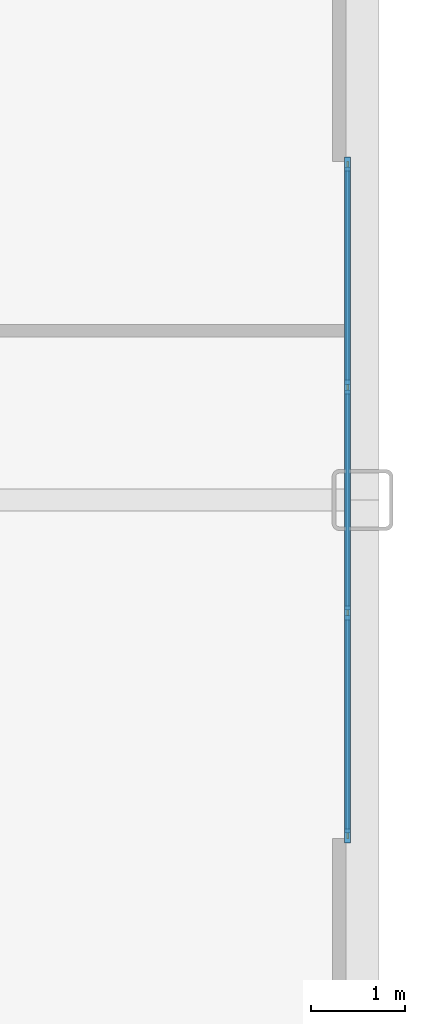
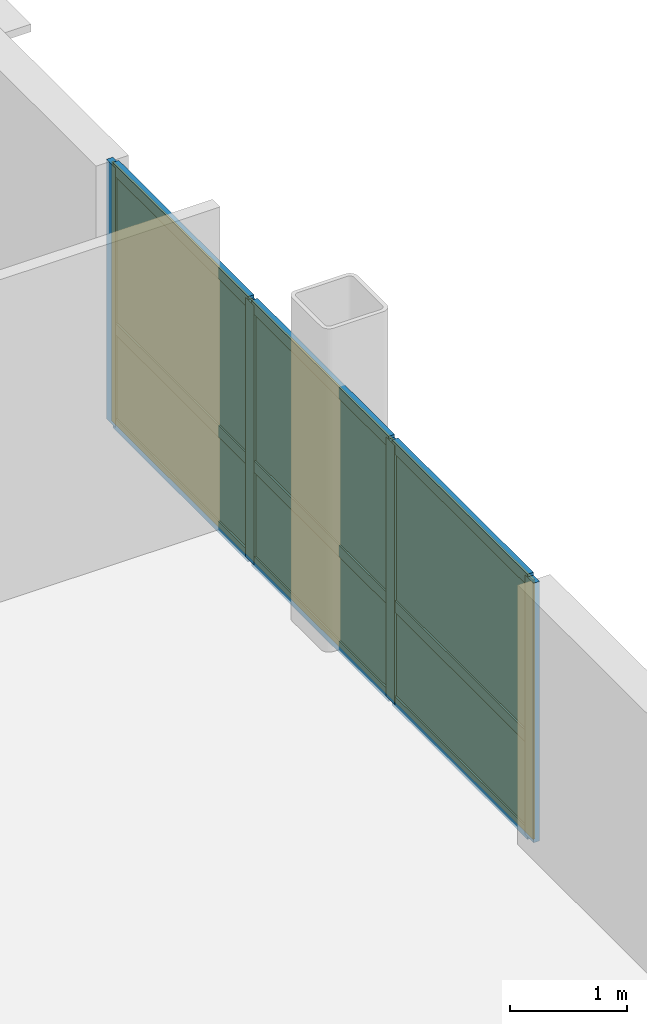
# One storey, part 11 of 17: 13 members, 6 plates, 1 curtain wall.
"""IFC4 building model written with IfcOpenShell, lengths in metres."""

from ifc_helpers import new_model, si_unit, direction, frame, frame_2d, origin, origin_2d, place, context, subcontext, project, spatial, rectangle, extrude, source, transform, mapped, material, layer, layer_set, material_profile, profile_set, type_object, type_shapes, element, aggregate, save


model = new_model("IFC4")

# Units and contexts
model_context = context("Model", 3, precision=1e-05, world=origin(), true_north=direction((0.0, 1.0)))
body_context = subcontext(model_context, "Body", "Model", "MODEL_VIEW")
ifc_project = project(units=[si_unit("LENGTHUNIT", "METRE"), si_unit("AREAUNIT", "SQUARE_METRE"), si_unit("VOLUMEUNIT", "CUBIC_METRE"), si_unit("PLANEANGLEUNIT", "RADIAN"), si_unit("MASSUNIT", "GRAM", prefix="KILO")], contexts=[model_context])

# Member
ifc_material_1 = material(Name="Anodised aluminium 6063-T6", Category="aluminium")
ifc_material_profile_1 = material_profile(ifc_material_1, rectangle(XDim=0.06005859375, YDim=0.14990234375, at=origin_2d()), Name="ALU-MULL-60x150")
ifc_profile_set_1 = profile_set([ifc_material_profile_1], Name="Anodised aluminium 6063-T6")
member_type_1 = type_object("IfcMemberType", Name="CWM-3", PredefinedType="MULLION", material=ifc_profile_set_1)
site_placement = place(None, origin())
building_placement = place(site_placement, origin())
storey_placement = place(building_placement, frame((0.0, 0.0, 120.199951171875)))
member_1_placement = place(storey_placement, frame((26.239990234375, -3.570068359375, 0.0), z_axis=(0.0, 0.0, 1.0), x_axis=(-1.0, 0.0, 0.0)))
member_1 = element("IfcMember", 1, at=member_1_placement, type_object=member_type_1, Name="CWS-3 mullion 1", PredefinedType="MULLION", context=body_context, shape_type="SweptSolid", body=[
    extrude(rectangle(XDim=0.06005859375, YDim=0.14990234375, at=origin_2d()), origin(), (0.0, 0.0, 1.0), 2.705078125),
])

member_2_placement = place(storey_placement, frame((26.239990234375, -1.199951171875, 0.0), z_axis=(0.0, 0.0, 1.0), x_axis=(-1.0, 0.0, 0.0)))
member_2 = element("IfcMember", 2, at=member_2_placement, type_object=member_type_1, Name="CWS-3 mullion 2", PredefinedType="MULLION", context=body_context, shape_type="SweptSolid", body=[
    extrude(rectangle(XDim=0.06005859375, YDim=0.14990234375, at=origin_2d()), origin(), (0.0, 0.0, 1.0), 2.705078125),
])

member_3_placement = place(storey_placement, frame((26.239990234375, 1.199951171875, 0.0), z_axis=(0.0, 0.0, 1.0), x_axis=(-1.0, 0.0, 0.0)))
member_3 = element("IfcMember", 3, at=member_3_placement, type_object=member_type_1, Name="CWS-3 mullion 3", PredefinedType="MULLION", context=body_context, shape_type="SweptSolid", body=[
    extrude(rectangle(XDim=0.06005859375, YDim=0.14990234375, at=origin_2d()), origin(), (0.0, 0.0, 1.0), 2.705078125),
])

member_4_placement = place(storey_placement, frame((26.239990234375, 3.570068359375, 0.0), z_axis=(0.0, 0.0, 1.0), x_axis=(-1.0, 0.0, 0.0)))
member_4 = element("IfcMember", 4, at=member_4_placement, type_object=member_type_1, Name="CWS-3 mullion 4", PredefinedType="MULLION", context=body_context, shape_type="SweptSolid", body=[
    extrude(rectangle(XDim=0.06005859375, YDim=0.14990234375, at=origin_2d()), origin(), (0.0, 0.0, 1.0), 2.705078125),
])

ifc_material_profile_2 = material_profile(ifc_material_1, rectangle(XDim=0.06005859375, YDim=0.1201171875, at=origin_2d()), Name="ALU-TRAN-60x120")
ifc_profile_set_2 = profile_set([ifc_material_profile_2], Name="Anodised aluminium 6063-T6")
member_type_2 = type_object("IfcMemberType", Name="CWT-3", PredefinedType="USERDEFINED", material=ifc_profile_set_2)
member_5_placement = place(storey_placement, frame((26.239990234375, -3.5400390625, 0.030029296875), z_axis=(0.0, 1.0, 0.0), x_axis=(-1.0, 0.0, 0.0)))
member_5 = element("IfcMember", 5, at=member_5_placement, type_object=member_type_2, Name="CWS-3 transom 1.1", ObjectType="TRANSOM", PredefinedType="USERDEFINED", context=body_context, shape_type="SweptSolid", body=[
    extrude(rectangle(XDim=0.06005859375, YDim=0.1201171875, at=origin_2d()), origin(), (0.0, 0.0, 1.0), 2.31005859375),
])

member_6_placement = place(storey_placement, frame((26.239990234375, -3.5400390625, 1.02783203125), z_axis=(0.0, 1.0, 0.0), x_axis=(-1.0, 0.0, 0.0)))
member_6 = element("IfcMember", 6, at=member_6_placement, type_object=member_type_2, Name="CWS-3 transom 1.2", ObjectType="TRANSOM", PredefinedType="USERDEFINED", context=body_context, shape_type="SweptSolid", body=[
    extrude(rectangle(XDim=0.06005859375, YDim=0.1201171875, at=origin_2d()), origin(), (0.0, 0.0, 1.0), 2.31005859375),
])

member_7_placement = place(storey_placement, frame((26.239990234375, -3.5400390625, 2.675048828125), z_axis=(0.0, 1.0, 0.0), x_axis=(-1.0, 0.0, 0.0)))
member_7 = element("IfcMember", 7, at=member_7_placement, type_object=member_type_2, Name="CWS-3 transom 1.3", ObjectType="TRANSOM", PredefinedType="USERDEFINED", context=body_context, shape_type="SweptSolid", body=[
    extrude(rectangle(XDim=0.06005859375, YDim=0.1201171875, at=origin_2d()), origin(), (0.0, 0.0, 1.0), 2.31005859375),
])

member_8_placement = place(storey_placement, frame((26.239990234375, -1.169921875, 0.030029296875), z_axis=(0.0, 1.0, 0.0), x_axis=(-1.0, 0.0, 0.0)))
member_8 = element("IfcMember", 8, at=member_8_placement, type_object=member_type_2, Name="CWS-3 transom 2.1", ObjectType="TRANSOM", PredefinedType="USERDEFINED", context=body_context, shape_type="SweptSolid", body=[
    extrude(rectangle(XDim=0.06005859375, YDim=0.1201171875, at=origin_2d()), origin(), (0.0, 0.0, 1.0), 2.33984375),
])

member_9_placement = place(storey_placement, frame((26.239990234375, -1.169921875, 1.02783203125), z_axis=(0.0, 1.0, 0.0), x_axis=(-1.0, 0.0, 0.0)))
member_9 = element("IfcMember", 9, at=member_9_placement, type_object=member_type_2, Name="CWS-3 transom 2.2", ObjectType="TRANSOM", PredefinedType="USERDEFINED", context=body_context, shape_type="SweptSolid", body=[
    extrude(rectangle(XDim=0.06005859375, YDim=0.1201171875, at=origin_2d()), origin(), (0.0, 0.0, 1.0), 2.33984375),
])

member_10_placement = place(storey_placement, frame((26.239990234375, -1.169921875, 2.675048828125), z_axis=(0.0, 1.0, 0.0), x_axis=(-1.0, 0.0, 0.0)))
member_10 = element("IfcMember", 10, at=member_10_placement, type_object=member_type_2, Name="CWS-3 transom 2.3", ObjectType="TRANSOM", PredefinedType="USERDEFINED", context=body_context, shape_type="SweptSolid", body=[
    extrude(rectangle(XDim=0.06005859375, YDim=0.1201171875, at=origin_2d()), origin(), (0.0, 0.0, 1.0), 2.33984375),
])

member_11_placement = place(storey_placement, frame((26.239990234375, 1.22998046875, 0.030029296875), z_axis=(0.0, 1.0, 0.0), x_axis=(-1.0, 0.0, 0.0)))
member_11 = element("IfcMember", 11, at=member_11_placement, type_object=member_type_2, Name="CWS-3 transom 3.1", ObjectType="TRANSOM", PredefinedType="USERDEFINED", context=body_context, shape_type="SweptSolid", body=[
    extrude(rectangle(XDim=0.06005859375, YDim=0.1201171875, at=origin_2d()), origin(), (0.0, 0.0, 1.0), 2.31005859375),
])

member_12_placement = place(storey_placement, frame((26.239990234375, 1.22998046875, 1.02783203125), z_axis=(0.0, 1.0, 0.0), x_axis=(-1.0, 0.0, 0.0)))
member_12 = element("IfcMember", 12, at=member_12_placement, type_object=member_type_2, Name="CWS-3 transom 3.2", ObjectType="TRANSOM", PredefinedType="USERDEFINED", context=body_context, shape_type="SweptSolid", body=[
    extrude(rectangle(XDim=0.06005859375, YDim=0.1201171875, at=origin_2d()), origin(), (0.0, 0.0, 1.0), 2.31005859375),
])

member_13_placement = place(storey_placement, frame((26.239990234375, 1.22998046875, 2.675048828125), z_axis=(0.0, 1.0, 0.0), x_axis=(-1.0, 0.0, 0.0)))
member_13 = element("IfcMember", 13, at=member_13_placement, type_object=member_type_2, Name="CWS-3 transom 3.3", ObjectType="TRANSOM", PredefinedType="USERDEFINED", context=body_context, shape_type="SweptSolid", body=[
    extrude(rectangle(XDim=0.06005859375, YDim=0.1201171875, at=origin_2d()), origin(), (0.0, 0.0, 1.0), 2.31005859375),
])

# Plate
ifc_material_2 = material(Name="Insulated solar-control glass", Category="glass")
ifc_layer_1 = layer(ifc_material_2, 0.028076171875, Name="CWP-3")
ifc_layer_set_1 = layer_set([ifc_layer_1], Name="Insulated solar-control glass")
plate_type = type_object("IfcPlateType", Name="CWP-3", PredefinedType="CURTAIN_PANEL", material=ifc_layer_set_1)
shared_shape_1 = source(origin(), body_context, "Body", "SweptSolid", [
    extrude(rectangle(XDim=2.31005859375, YDim=0.028076171875, at=origin_2d()), origin(), (0.0, 0.0, 1.0), 0.93798828125),
])
plate_1_placement = place(storey_placement, frame((26.239990234375, -2.385009765625, 0.06005859375), z_axis=(0.0, 0.0, 1.0), x_axis=(0.0, 1.0, 0.0)))
plate_1 = element("IfcPlate", 14, at=plate_1_placement, type_object=plate_type, Name="CWS-3 panel 1.1", PredefinedType="CURTAIN_PANEL", context=body_context, shape_type="MappedRepresentation", body=[
    mapped(shared_shape_1, transform((0.0, 0.0, 0.0), scale=1.0)),
])

plate_2_placement = place(storey_placement, frame((26.239990234375, 2.385009765625, 0.06005859375), z_axis=(0.0, 0.0, 1.0), x_axis=(0.0, 1.0, 0.0)))
plate_2 = element("IfcPlate", 15, at=plate_2_placement, type_object=plate_type, Name="CWS-3 panel 3.1", PredefinedType="CURTAIN_PANEL", context=body_context, shape_type="MappedRepresentation", body=[
    mapped(shared_shape_1, transform((0.0, 0.0, 0.0), scale=1.0)),
])

shared_shape_2 = source(origin(), body_context, "Body", "SweptSolid", [
    extrude(rectangle(XDim=2.31005859375, YDim=0.028076171875, at=origin_2d()), origin(), (0.0, 0.0, 1.0), 1.587158203125),
])
plate_3_placement = place(storey_placement, frame((26.239990234375, -2.385009765625, 1.05810546875), z_axis=(0.0, 0.0, 1.0), x_axis=(0.0, 1.0, 0.0)))
plate_3 = element("IfcPlate", 16, at=plate_3_placement, type_object=plate_type, Name="CWS-3 panel 1.2", PredefinedType="CURTAIN_PANEL", context=body_context, shape_type="MappedRepresentation", body=[
    mapped(shared_shape_2, transform((0.0, 0.0, 0.0), scale=1.0)),
])

plate_4_placement = place(storey_placement, frame((26.239990234375, 2.385009765625, 1.05810546875), z_axis=(0.0, 0.0, 1.0), x_axis=(0.0, 1.0, 0.0)))
plate_4 = element("IfcPlate", 17, at=plate_4_placement, type_object=plate_type, Name="CWS-3 panel 3.2", PredefinedType="CURTAIN_PANEL", context=body_context, shape_type="MappedRepresentation", body=[
    mapped(shared_shape_2, transform((0.0, 0.0, 0.0), scale=1.0)),
])

shared_shape_3 = source(origin(), body_context, "Body", "SweptSolid", [
    extrude(rectangle(XDim=2.340087890625, YDim=0.028076171875, at=origin_2d()), origin(), (0.0, 0.0, 1.0), 0.93798828125),
])
plate_5_placement = place(storey_placement, frame((26.239990234375, 0.0, 0.06005859375), z_axis=(0.0, 0.0, 1.0), x_axis=(0.0, 1.0, 0.0)))
plate_5 = element("IfcPlate", 18, at=plate_5_placement, type_object=plate_type, Name="CWS-3 panel 2.1", PredefinedType="CURTAIN_PANEL", context=body_context, shape_type="MappedRepresentation", body=[
    mapped(shared_shape_3, transform((0.0, 0.0, 0.0), scale=1.0)),
])

shared_shape_4 = source(origin(), body_context, "Body", "SweptSolid", [
    extrude(rectangle(XDim=2.340087890625, YDim=0.028076171875, at=origin_2d()), origin(), (0.0, 0.0, 1.0), 1.587158203125),
])
type_shapes(plate_type, [shared_shape_1, shared_shape_2, shared_shape_3, shared_shape_4])
plate_6_placement = place(storey_placement, frame((26.239990234375, 0.0, 1.05810546875), z_axis=(0.0, 0.0, 1.0), x_axis=(0.0, 1.0, 0.0)))
plate_6 = element("IfcPlate", 19, at=plate_6_placement, type_object=plate_type, Name="CWS-3 panel 2.2", PredefinedType="CURTAIN_PANEL", context=body_context, shape_type="MappedRepresentation", body=[
    mapped(shared_shape_4, transform((0.0, 0.0, 0.0), scale=1.0)),
])

# Site, building, storey
site = spatial("IfcSite", under=ifc_project, at=site_placement, CompositionType="ELEMENT")
building = spatial("IfcBuilding", under=site, at=building_placement, Name="Nuvemarco Arch Tower", CompositionType="ELEMENT")
storey = spatial("IfcBuildingStorey", under=building, at=storey_placement, Name="L31", CompositionType="ELEMENT", Elevation=120.199951171875)

# Curtain wall
ifc_layer_2 = layer(ifc_material_2, 0.14990234375, Name="CW-SYS-3")
ifc_layer_set_2 = layer_set([ifc_layer_2], Name="Insulated solar-control glass")
curtain_wall_type = type_object("IfcCurtainWallType", Name="CW-SYS-3", PredefinedType="NOTDEFINED", material=ifc_layer_set_2)
curtain_wall_placement = place(storey_placement, frame((26.239990234375, -3.60009765625, 0.0), z_axis=(0.0, 0.0, 1.0), x_axis=(0.0, 1.0, 0.0)))
curtain_wall = element("IfcCurtainWall", 20, at=curtain_wall_placement, inside=storey, type_object=curtain_wall_type, Name="L31 curtain wall CWS-3", PredefinedType="NOTDEFINED", context=body_context, shape_type="SweptSolid", body=[
    extrude(rectangle(XDim=7.2001953125, YDim=0.02001953125, at=frame_2d((3.60009765625, 0.0))), origin(), (0.0, 0.0, 1.0), 2.705078125),
])

aggregate(curtain_wall, [member_1, member_2, member_3, member_4, member_5, member_6, member_7, plate_1, plate_3, member_8, member_9, member_10, plate_5, plate_6, member_11, member_12, member_13, plate_2, plate_4])

save(model, "model.ifc")
